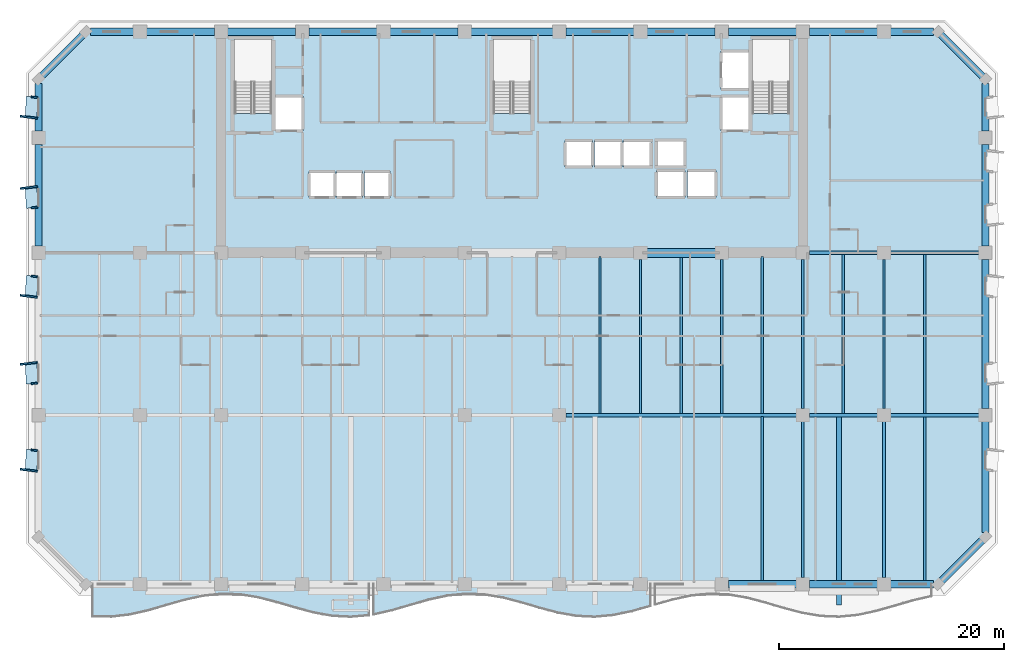
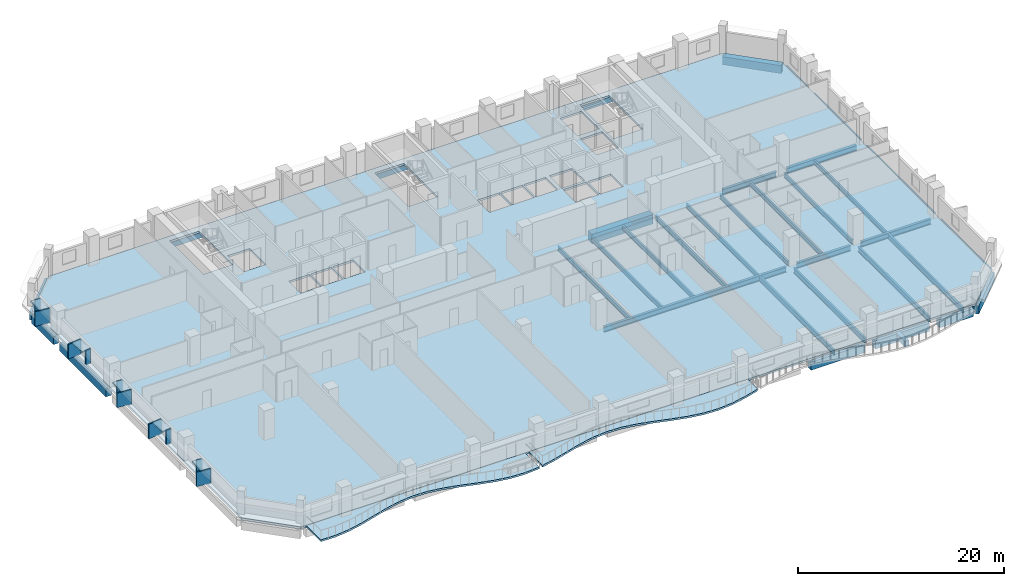
# One storey, part 2 of 15: 43 beams, 15 plates, 3 slabs.
"""IFC4 building model written with IfcOpenShell, lengths in metres."""

from ifc_helpers import new_model, si_unit, direction, frame, origin, origin_2d, place, context, subcontext, project, spatial, polyline, rectangle, i_section, outline, extrude, material, layer, layer_set, material_profile, profile_set, type_object, element, save


model = new_model("IFC4")

# Units and contexts
model_context = context("Model", 3, precision=1e-05, world=origin(), true_north=direction((0.0, 1.0)))
body_context = subcontext(model_context, "Body", "Model", "MODEL_VIEW")
ifc_project = project(units=[si_unit("LENGTHUNIT", "METRE"), si_unit("AREAUNIT", "SQUARE_METRE"), si_unit("VOLUMEUNIT", "CUBIC_METRE"), si_unit("PLANEANGLEUNIT", "RADIAN"), si_unit("MASSUNIT", "GRAM", prefix="KILO")], contexts=[model_context])

# Site, building, storey
site_placement = place(None, origin())
site = spatial("IfcSite", under=ifc_project, at=site_placement, CompositionType="ELEMENT")
building_placement = place(site_placement, origin())
building = spatial("IfcBuilding", under=site, at=building_placement, Name="Kaelvorn Grand Hotel", CompositionType="ELEMENT")
storey_placement = place(building_placement, frame((0.0, 0.0, 96.800048828125)))
storey = spatial("IfcBuildingStorey", under=building, at=storey_placement, Name="L22", CompositionType="ELEMENT", Elevation=96.800048828125)

# Beams
ifc_material_1 = material(Name="Steel S355", Category="steel")
ifc_material_profile_1 = material_profile(ifc_material_1, i_section(OverallWidth=0.300048828125, OverallDepth=0.64990234375, WebThickness=0.01611328125, FlangeThickness=0.031005859375, FilletRadius=0.027099609375, at=origin_2d()), Name="HEB 650")
ifc_profile_set_1 = profile_set([ifc_material_profile_1], Name="Steel S355")
beam_type_1 = type_object("IfcBeamType", Name="BM-G-HEB650-S355", PredefinedType="BEAM", material=ifc_profile_set_1)
beam_1_placement = place(storey_placement, frame((46.784912109375, 15.0, -0.56494140625), z_axis=(1.0, 0.0, 0.0), x_axis=(0.0, 1.0, 0.0)))
element("IfcBeam", 1, at=beam_1_placement, inside=storey, type_object=beam_type_1, Name="L22 Primary Spine Steel Girder G-15 05", PredefinedType="BEAM", context=body_context, shape_type="SweptSolid", body=[
    extrude(i_section(OverallWidth=0.300048828125, OverallDepth=0.64990234375, WebThickness=0.01611328125, FlangeThickness=0.031005859375, FilletRadius=0.027099609375, at=origin_2d()), origin(), (0.0, 0.0, 1.0), 20.43017578125),
])
beam_2_placement = place(storey_placement, frame((68.385009765625, 15.0, -0.56494140625), z_axis=(1.0, 0.0, 0.0), x_axis=(0.0, 1.0, 0.0)))
element("IfcBeam", 2, at=beam_2_placement, inside=storey, type_object=beam_type_1, Name="L22 Primary Spine Steel Girder G-15 06", PredefinedType="BEAM", context=body_context, shape_type="SweptSolid", body=[
    extrude(i_section(OverallWidth=0.300048828125, OverallDepth=0.64990234375, WebThickness=0.01611328125, FlangeThickness=0.031005859375, FilletRadius=0.027099609375, at=origin_2d()), origin(), (0.0, 0.0, 1.0), 6.030029296875),
])
beam_3_placement = place(storey_placement, frame((75.5849609375, 15.0, -0.56494140625), z_axis=(1.0, 0.0, 0.0), x_axis=(0.0, 1.0, 0.0)))
element("IfcBeam", 3, at=beam_3_placement, inside=storey, type_object=beam_type_1, Name="L22 Primary Spine Steel Girder G-15 07", PredefinedType="BEAM", context=body_context, shape_type="SweptSolid", body=[
    extrude(i_section(OverallWidth=0.300048828125, OverallDepth=0.64990234375, WebThickness=0.01611328125, FlangeThickness=0.031005859375, FilletRadius=0.027099609375, at=origin_2d()), origin(), (0.0, 0.0, 1.0), 7.830078125),
])
beam_4_placement = place(storey_placement, frame((68.385009765625, 29.39990234375, -0.56494140625), z_axis=(1.0, 0.0, 0.0), x_axis=(0.0, 1.0, 0.0)))
element("IfcBeam", 4, at=beam_4_placement, inside=storey, type_object=beam_type_1, Name="L22 East Core Wing Steel Girder G-29E 01", PredefinedType="BEAM", context=body_context, shape_type="SweptSolid", body=[
    extrude(i_section(OverallWidth=0.300048828125, OverallDepth=0.64990234375, WebThickness=0.01611328125, FlangeThickness=0.031005859375, FilletRadius=0.027099609375, at=origin_2d()), origin(), (0.0, 0.0, 1.0), 6.030029296875),
])
beam_5_placement = place(storey_placement, frame((75.5849609375, 29.39990234375, -0.56494140625), z_axis=(1.0, 0.0, 0.0), x_axis=(0.0, 1.0, 0.0)))
element("IfcBeam", 5, at=beam_5_placement, inside=storey, type_object=beam_type_1, Name="L22 East Core Wing Steel Girder G-29E 02", PredefinedType="BEAM", context=body_context, shape_type="SweptSolid", body=[
    extrude(i_section(OverallWidth=0.300048828125, OverallDepth=0.64990234375, WebThickness=0.01611328125, FlangeThickness=0.031005859375, FilletRadius=0.027099609375, at=origin_2d()), origin(), (0.0, 0.0, 1.0), 7.830078125),
])
ifc_material_profile_2 = material_profile(ifc_material_1, i_section(OverallWidth=0.209228515625, OverallDepth=0.533203125, WebThickness=0.010009765625, FlangeThickness=0.015625, FilletRadius=0.0126953125, at=origin_2d()), Name="UB 533x210x92")
ifc_profile_set_2 = profile_set([ifc_material_profile_2], Name="Steel S355")
beam_type_2 = type_object("IfcBeamType", Name="BM-J-UB533-S355", PredefinedType="JOIST", material=ifc_profile_set_2)
beam_6_placement = place(storey_placement, frame((49.800048828125, 15.135009765625, -0.506591796875), z_axis=(0.0, 1.0, 0.0), x_axis=(-1.0, 0.0, 0.0)))
element("IfcBeam", 6, at=beam_6_placement, inside=storey, type_object=beam_type_2, Name="L22 Composite Floor Joist JM-14", PredefinedType="JOIST", context=body_context, shape_type="SweptSolid", body=[
    extrude(i_section(OverallWidth=0.209228515625, OverallDepth=0.533203125, WebThickness=0.010009765625, FlangeThickness=0.015625, FilletRadius=0.0126953125, at=origin_2d()), origin(), (0.0, 0.0, 1.0), 13.925048828125),
])
beam_7_placement = place(storey_placement, frame((53.39990234375, 15.135009765625, -0.506591796875), z_axis=(0.0, 1.0, 0.0), x_axis=(-1.0, 0.0, 0.0)))
element("IfcBeam", 7, at=beam_7_placement, inside=storey, type_object=beam_type_2, Name="L22 Composite Floor Joist JM-15", PredefinedType="JOIST", context=body_context, shape_type="SweptSolid", body=[
    extrude(i_section(OverallWidth=0.209228515625, OverallDepth=0.533203125, WebThickness=0.010009765625, FlangeThickness=0.015625, FilletRadius=0.0126953125, at=origin_2d()), origin(), (0.0, 0.0, 1.0), 13.679931640625),
])
beam_8_placement = place(storey_placement, frame((57.0, 15.135009765625, -0.506591796875), z_axis=(0.0, 1.0, 0.0), x_axis=(-1.0, 0.0, 0.0)))
element("IfcBeam", 8, at=beam_8_placement, inside=storey, type_object=beam_type_2, Name="L22 Composite Floor Joist JM-16", PredefinedType="JOIST", context=body_context, shape_type="SweptSolid", body=[
    extrude(i_section(OverallWidth=0.209228515625, OverallDepth=0.533203125, WebThickness=0.010009765625, FlangeThickness=0.015625, FilletRadius=0.0126953125, at=origin_2d()), origin(), (0.0, 0.0, 1.0), 13.925048828125),
])
beam_9_placement = place(storey_placement, frame((60.60009765625, 15.135009765625, -0.506591796875), z_axis=(0.0, 1.0, 0.0), x_axis=(-1.0, 0.0, 0.0)))
element("IfcBeam", 9, at=beam_9_placement, inside=storey, type_object=beam_type_2, Name="L22 Composite Floor Joist JM-17", PredefinedType="JOIST", context=body_context, shape_type="SweptSolid", body=[
    extrude(i_section(OverallWidth=0.209228515625, OverallDepth=0.533203125, WebThickness=0.010009765625, FlangeThickness=0.015625, FilletRadius=0.0126953125, at=origin_2d()), origin(), (0.0, 0.0, 1.0), 13.679931640625),
])
beam_10_placement = place(storey_placement, frame((64.199951171875, 15.135009765625, -0.506591796875), z_axis=(0.0, 1.0, 0.0), x_axis=(-1.0, 0.0, 0.0)))
element("IfcBeam", 10, at=beam_10_placement, inside=storey, type_object=beam_type_2, Name="L22 Composite Floor Joist JM-18", PredefinedType="JOIST", context=body_context, shape_type="SweptSolid", body=[
    extrude(i_section(OverallWidth=0.209228515625, OverallDepth=0.533203125, WebThickness=0.010009765625, FlangeThickness=0.015625, FilletRadius=0.0126953125, at=origin_2d()), origin(), (0.0, 0.0, 1.0), 13.925048828125),
])
beam_11_placement = place(storey_placement, frame((67.800048828125, 15.5849609375, -0.506591796875), z_axis=(0.0, 1.0, 0.0), x_axis=(-1.0, 0.0, 0.0)))
element("IfcBeam", 11, at=beam_11_placement, inside=storey, type_object=beam_type_2, Name="L22 Composite Floor Joist JM-19", PredefinedType="JOIST", context=body_context, shape_type="SweptSolid", body=[
    extrude(i_section(OverallWidth=0.209228515625, OverallDepth=0.533203125, WebThickness=0.010009765625, FlangeThickness=0.015625, FilletRadius=0.0126953125, at=origin_2d()), origin(), (0.0, 0.0, 1.0), 13.22998046875),
])
beam_12_placement = place(storey_placement, frame((71.39990234375, 15.135009765625, -0.506591796875), z_axis=(0.0, 1.0, 0.0), x_axis=(-1.0, 0.0, 0.0)))
element("IfcBeam", 12, at=beam_12_placement, inside=storey, type_object=beam_type_2, Name="L22 Composite Floor Joist JM-20", PredefinedType="JOIST", context=body_context, shape_type="SweptSolid", body=[
    extrude(i_section(OverallWidth=0.209228515625, OverallDepth=0.533203125, WebThickness=0.010009765625, FlangeThickness=0.015625, FilletRadius=0.0126953125, at=origin_2d()), origin(), (0.0, 0.0, 1.0), 14.1298828125),
])
beam_13_placement = place(storey_placement, frame((75.0, 15.5849609375, -0.506591796875), z_axis=(0.0, 1.0, 0.0), x_axis=(-1.0, 0.0, 0.0)))
element("IfcBeam", 13, at=beam_13_placement, inside=storey, type_object=beam_type_2, Name="L22 Composite Floor Joist JM-21", PredefinedType="JOIST", context=body_context, shape_type="SweptSolid", body=[
    extrude(i_section(OverallWidth=0.209228515625, OverallDepth=0.533203125, WebThickness=0.010009765625, FlangeThickness=0.015625, FilletRadius=0.0126953125, at=origin_2d()), origin(), (0.0, 0.0, 1.0), 13.22998046875),
])
beam_14_placement = place(storey_placement, frame((78.60009765625, 15.135009765625, -0.506591796875), z_axis=(0.0, 1.0, 0.0), x_axis=(-1.0, 0.0, 0.0)))
element("IfcBeam", 14, at=beam_14_placement, inside=storey, type_object=beam_type_2, Name="L22 Composite Floor Joist JM-22", PredefinedType="JOIST", context=body_context, shape_type="SweptSolid", body=[
    extrude(i_section(OverallWidth=0.209228515625, OverallDepth=0.533203125, WebThickness=0.010009765625, FlangeThickness=0.015625, FilletRadius=0.0126953125, at=origin_2d()), origin(), (0.0, 0.0, 1.0), 14.1298828125),
])
ifc_material_profile_3 = material_profile(ifc_material_1, i_section(OverallWidth=0.22900390625, OverallDepth=0.6123046875, WebThickness=0.011962890625, FlangeThickness=0.01953125, FilletRadius=0.0126953125, at=origin_2d()), Name="UB 610x229x125")
ifc_profile_set_3 = profile_set([ifc_material_profile_3], Name="Steel S355")
beam_type_3 = type_object("IfcBeamType", Name="BM-J-UB610-S355", PredefinedType="JOIST", material=ifc_profile_set_3)
beam_15_placement = place(storey_placement, frame((64.199951171875, 0.31005859375, -0.546142578125), z_axis=(0.0, 1.0, 0.0), x_axis=(-1.0, 0.0, 0.0)))
element("IfcBeam", 15, at=beam_15_placement, inside=storey, type_object=beam_type_3, Name="L22 Composite Floor Joist JS-18", PredefinedType="JOIST", context=body_context, shape_type="SweptSolid", body=[
    extrude(i_section(OverallWidth=0.22900390625, OverallDepth=0.6123046875, WebThickness=0.011962890625, FlangeThickness=0.01953125, FilletRadius=0.0126953125, at=origin_2d()), origin(), (0.0, 0.0, 1.0), 14.554931640625),
])
for number, where, z_axis, x_axis, name in (
    (16, (67.800048828125, 0.5849609375, -0.546142578125), (0.0, 1.0, 0.0), (-1.0, 0.0, 0.0), "L22 Composite Floor Joist JS-19"),
    (17, (75.0, 0.5849609375, -0.546142578125), (0.0, 1.0, 0.0), (-1.0, 0.0, 0.0), "L22 Composite Floor Joist JS-21"),
):
    element("IfcBeam", number, at=place(storey_placement, frame(where, z_axis=z_axis, x_axis=x_axis)), inside=storey, type_object=beam_type_3, Name=name, PredefinedType="JOIST", context=body_context, shape_type="SweptSolid", body=[
        extrude(i_section(OverallWidth=0.22900390625, OverallDepth=0.6123046875, WebThickness=0.011962890625, FlangeThickness=0.01953125, FilletRadius=0.0126953125, at=origin_2d()), origin(), (0.0, 0.0, 1.0), 13.830078125),
    ])
beam_16_placement = place(storey_placement, frame((78.60009765625, 0.31005859375, -0.546142578125), z_axis=(0.0, 1.0, 0.0), x_axis=(-1.0, 0.0, 0.0)))
element("IfcBeam", 18, at=beam_16_placement, inside=storey, type_object=beam_type_3, Name="L22 Composite Floor Joist JS-22", PredefinedType="JOIST", context=body_context, shape_type="SweptSolid", body=[
    extrude(i_section(OverallWidth=0.22900390625, OverallDepth=0.6123046875, WebThickness=0.011962890625, FlangeThickness=0.01953125, FilletRadius=0.0126953125, at=origin_2d()), origin(), (0.0, 0.0, 1.0), 14.554931640625),
])
ifc_material_2 = material(Name="Concrete C60/75", Category="concrete")
ifc_material_profile_4 = material_profile(ifc_material_2, rectangle(XDim=0.800048828125, YDim=1.10009765625, at=origin_2d()), Name="RC LINTEL 800x1100")
ifc_profile_set_4 = profile_set([ifc_material_profile_4], Name="Concrete C60/75")
beam_type_4 = type_object("IfcBeamType", Name="BM-LIN-800x1100-C60", PredefinedType="LINTEL", material=ifc_profile_set_4)
beam_17_placement = place(storey_placement, frame((53.580078125, 29.39990234375, -0.7900390625), z_axis=(1.0, 0.0, 0.0), x_axis=(0.0, 1.0, 0.0)))
element("IfcBeam", 19, at=beam_17_placement, inside=storey, type_object=beam_type_4, Name="L22 Rear-Core Coupling Lintel Beam CB1-03", PredefinedType="LINTEL", context=body_context, shape_type="SweptSolid", body=[
    extrude(rectangle(XDim=0.800048828125, YDim=1.10009765625, at=origin_2d()), origin(), (0.0, 0.0, 1.0), 6.83984375),
])
ifc_material_3 = material(Name="Concrete C40/50", Category="concrete")
ifc_material_profile_5 = material_profile(ifc_material_3, rectangle(XDim=0.449951171875, YDim=0.64990234375, at=origin_2d()), Name="RC RIB 450x650")
ifc_profile_set_5 = profile_set([ifc_material_profile_5], Name="Concrete C40/50")
beam_type_5 = type_object("IfcBeamType", Name="BM-RIB-450x650-C40", PredefinedType="SPANDREL", material=ifc_profile_set_5)
beam_18_placement = place(storey_placement, frame((71.022216796875, -1.85009765625, -0.545166015625), z_axis=(0.0, 1.0, 0.0), x_axis=(-1.0, 0.0, 0.0)))
element("IfcBeam", 20, at=beam_18_placement, inside=storey, type_object=beam_type_5, Name="L22 Cantilevered Balcony Back-Span Rib RB1-3", PredefinedType="SPANDREL", context=body_context, shape_type="SweptSolid", body=[
    extrude(rectangle(XDim=0.449951171875, YDim=0.64990234375, at=origin_2d()), origin(), (0.0, 0.0, 1.0), 16.715087890625),
])
ifc_material_profile_6 = material_profile(ifc_material_2, rectangle(XDim=0.64990234375, YDim=0.949951171875, at=origin_2d()), Name="RC SPANDREL 650x950")
ifc_profile_set_6 = profile_set([ifc_material_profile_6], Name="Concrete C60/75")
beam_type_6 = type_object("IfcBeamType", Name="BM-SP-650x950-C60", PredefinedType="SPANDREL", material=ifc_profile_set_6)
for number, where, z_axis, x_axis, name in (
    (21, (61.18505859375, 0.0, -0.715087890625), (1.0, 0.0, 0.0), (0.0, 1.0, 0.0), "L22 South Perimeter Spandrel 09"),
    (22, (68.385009765625, 0.0, -0.715087890625), (1.0, 0.0, 0.0), (0.0, 1.0, 0.0), "L22 South Perimeter Spandrel 10"),
):
    element("IfcBeam", number, at=place(storey_placement, frame(where, z_axis=z_axis, x_axis=x_axis)), inside=storey, type_object=beam_type_6, Name=name, PredefinedType="SPANDREL", context=body_context, shape_type="SweptSolid", body=[
        extrude(rectangle(XDim=0.64990234375, YDim=0.949951171875, at=origin_2d()), origin(), (0.0, 0.0, 1.0), 6.030029296875),
    ])
for number, where, z_axis, x_axis, name in (
    (23, (75.5849609375, 0.0, -0.715087890625), (1.0, 0.0, 0.0), (0.0, 1.0, 0.0), "L22 South Perimeter Spandrel 11"),
    (24, (4.60498046875, 49.0, -0.715087890625), (1.0, 0.0, 0.0), (0.0, 1.0, 0.0), "L22 North Perimeter Spandrel 01"),
):
    element("IfcBeam", number, at=place(storey_placement, frame(where, z_axis=z_axis, x_axis=x_axis)), inside=storey, type_object=beam_type_6, Name=name, PredefinedType="SPANDREL", context=body_context, shape_type="SweptSolid", body=[
        extrude(rectangle(XDim=0.64990234375, YDim=0.949951171875, at=origin_2d()), origin(), (0.0, 0.0, 1.0), 3.81005859375),
    ])
for number, where, z_axis, x_axis, name in (
    (25, (9.5849609375, 49.0, -0.715087890625), (1.0, 0.0, 0.0), (0.0, 1.0, 0.0), "L22 North Perimeter Spandrel 02"),
    (26, (16.784912109375, 49.0, -0.715087890625), (1.0, 0.0, 0.0), (0.0, 1.0, 0.0), "L22 North Perimeter Spandrel 03"),
):
    element("IfcBeam", number, at=place(storey_placement, frame(where, z_axis=z_axis, x_axis=x_axis)), inside=storey, type_object=beam_type_6, Name=name, PredefinedType="SPANDREL", context=body_context, shape_type="SweptSolid", body=[
        extrude(rectangle(XDim=0.64990234375, YDim=0.949951171875, at=origin_2d()), origin(), (0.0, 0.0, 1.0), 6.030029296875),
    ])
beam_19_placement = place(storey_placement, frame((23.985107421875, 49.0, -0.715087890625), z_axis=(1.0, 0.0, 0.0), x_axis=(0.0, 1.0, 0.0)))
element("IfcBeam", 27, at=beam_19_placement, inside=storey, type_object=beam_type_6, Name="L22 North Perimeter Spandrel 04", PredefinedType="SPANDREL", context=body_context, shape_type="SweptSolid", body=[
    extrude(rectangle(XDim=0.64990234375, YDim=0.949951171875, at=origin_2d()), origin(), (0.0, 0.0, 1.0), 6.02978515625),
])
beam_20_placement = place(storey_placement, frame((31.18505859375, 49.0, -0.715087890625), z_axis=(1.0, 0.0, 0.0), x_axis=(0.0, 1.0, 0.0)))
element("IfcBeam", 28, at=beam_20_placement, inside=storey, type_object=beam_type_6, Name="L22 North Perimeter Spandrel 05", PredefinedType="SPANDREL", context=body_context, shape_type="SweptSolid", body=[
    extrude(rectangle(XDim=0.64990234375, YDim=0.949951171875, at=origin_2d()), origin(), (0.0, 0.0, 1.0), 6.030029296875),
])
beam_21_placement = place(storey_placement, frame((38.385009765625, 49.0, -0.715087890625), z_axis=(1.0, 0.0, 0.0), x_axis=(0.0, 1.0, 0.0)))
element("IfcBeam", 29, at=beam_21_placement, inside=storey, type_object=beam_type_6, Name="L22 North Perimeter Spandrel 06", PredefinedType="SPANDREL", context=body_context, shape_type="SweptSolid", body=[
    extrude(rectangle(XDim=0.64990234375, YDim=0.949951171875, at=origin_2d()), origin(), (0.0, 0.0, 1.0), 7.22998046875),
])
beam_22_placement = place(storey_placement, frame((46.784912109375, 49.0, -0.715087890625), z_axis=(1.0, 0.0, 0.0), x_axis=(0.0, 1.0, 0.0)))
element("IfcBeam", 30, at=beam_22_placement, inside=storey, type_object=beam_type_6, Name="L22 North Perimeter Spandrel 07", PredefinedType="SPANDREL", context=body_context, shape_type="SweptSolid", body=[
    extrude(rectangle(XDim=0.64990234375, YDim=0.949951171875, at=origin_2d()), origin(), (0.0, 0.0, 1.0), 6.030029296875),
])
beam_23_placement = place(storey_placement, frame((53.985107421875, 49.0, -0.715087890625), z_axis=(1.0, 0.0, 0.0), x_axis=(0.0, 1.0, 0.0)))
element("IfcBeam", 31, at=beam_23_placement, inside=storey, type_object=beam_type_6, Name="L22 North Perimeter Spandrel 08", PredefinedType="SPANDREL", context=body_context, shape_type="SweptSolid", body=[
    extrude(rectangle(XDim=0.64990234375, YDim=0.949951171875, at=origin_2d()), origin(), (0.0, 0.0, 1.0), 6.02978515625),
])
for number, where, z_axis, x_axis, name in (
    (32, (61.18505859375, 49.0, -0.715087890625), (1.0, 0.0, 0.0), (0.0, 1.0, 0.0), "L22 North Perimeter Spandrel 09"),
    (33, (68.385009765625, 49.0, -0.715087890625), (1.0, 0.0, 0.0), (0.0, 1.0, 0.0), "L22 North Perimeter Spandrel 10"),
):
    element("IfcBeam", number, at=place(storey_placement, frame(where, z_axis=z_axis, x_axis=x_axis)), inside=storey, type_object=beam_type_6, Name=name, PredefinedType="SPANDREL", context=body_context, shape_type="SweptSolid", body=[
        extrude(rectangle(XDim=0.64990234375, YDim=0.949951171875, at=origin_2d()), origin(), (0.0, 0.0, 1.0), 6.030029296875),
    ])
beam_24_placement = place(storey_placement, frame((75.5849609375, 49.0, -0.715087890625), z_axis=(1.0, 0.0, 0.0), x_axis=(0.0, 1.0, 0.0)))
element("IfcBeam", 34, at=beam_24_placement, inside=storey, type_object=beam_type_6, Name="L22 North Perimeter Spandrel 11", PredefinedType="SPANDREL", context=body_context, shape_type="SweptSolid", body=[
    extrude(rectangle(XDim=0.64990234375, YDim=0.949951171875, at=origin_2d()), origin(), (0.0, 0.0, 1.0), 3.81005859375),
])
beam_25_placement = place(storey_placement, frame((0.0, 29.985107421875, -0.715087890625), z_axis=(0.0, 1.0, 0.0), x_axis=(-1.0, 0.0, 0.0)))
element("IfcBeam", 35, at=beam_25_placement, inside=storey, type_object=beam_type_6, Name="L22 West Perimeter Spandrel 03", PredefinedType="SPANDREL", context=body_context, shape_type="SweptSolid", body=[
    extrude(rectangle(XDim=0.64990234375, YDim=0.949951171875, at=origin_2d()), origin(), (0.0, 0.0, 1.0), 9.02978515625),
])
beam_26_placement = place(storey_placement, frame((0.0, 40.18505859375, -0.715087890625), z_axis=(0.0, 1.0, 0.0), x_axis=(-1.0, 0.0, 0.0)))
element("IfcBeam", 36, at=beam_26_placement, inside=storey, type_object=beam_type_6, Name="L22 West Perimeter Spandrel 04", PredefinedType="SPANDREL", context=body_context, shape_type="SweptSolid", body=[
    extrude(rectangle(XDim=0.64990234375, YDim=0.949951171875, at=origin_2d()), origin(), (0.0, 0.0, 1.0), 4.2099609375),
])
beam_27_placement = place(storey_placement, frame((84.0, 4.60498046875, -0.715087890625), z_axis=(0.0, 1.0, 0.0), x_axis=(-1.0, 0.0, 0.0)))
element("IfcBeam", 37, at=beam_27_placement, inside=storey, type_object=beam_type_6, Name="L22 East Perimeter Spandrel 01", PredefinedType="SPANDREL", context=body_context, shape_type="SweptSolid", body=[
    extrude(rectangle(XDim=0.64990234375, YDim=0.949951171875, at=origin_2d()), origin(), (0.0, 0.0, 1.0), 9.81005859375),
])
beam_28_placement = place(storey_placement, frame((84.0, 15.5849609375, -0.715087890625), z_axis=(0.0, 1.0, 0.0), x_axis=(-1.0, 0.0, 0.0)))
element("IfcBeam", 38, at=beam_28_placement, inside=storey, type_object=beam_type_6, Name="L22 East Perimeter Spandrel 02", PredefinedType="SPANDREL", context=body_context, shape_type="SweptSolid", body=[
    extrude(rectangle(XDim=0.64990234375, YDim=0.949951171875, at=origin_2d()), origin(), (0.0, 0.0, 1.0), 13.22998046875),
])
beam_29_placement = place(storey_placement, frame((84.0, 29.985107421875, -0.715087890625), z_axis=(0.0, 1.0, 0.0), x_axis=(-1.0, 0.0, 0.0)))
element("IfcBeam", 39, at=beam_29_placement, inside=storey, type_object=beam_type_6, Name="L22 East Perimeter Spandrel 03", PredefinedType="SPANDREL", context=body_context, shape_type="SweptSolid", body=[
    extrude(rectangle(XDim=0.64990234375, YDim=0.949951171875, at=origin_2d()), origin(), (0.0, 0.0, 1.0), 9.02978515625),
])
beam_30_placement = place(storey_placement, frame((84.0, 40.18505859375, -0.715087890625), z_axis=(0.0, 1.0, 0.0), x_axis=(-1.0, 0.0, 0.0)))
element("IfcBeam", 40, at=beam_30_placement, inside=storey, type_object=beam_type_6, Name="L22 East Perimeter Spandrel 04", PredefinedType="SPANDREL", context=body_context, shape_type="SweptSolid", body=[
    extrude(rectangle(XDim=0.64990234375, YDim=0.949951171875, at=origin_2d()), origin(), (0.0, 0.0, 1.0), 4.2099609375),
])
for number, where, z_axis, x_axis, name in (
    (41, (79.800048828125, 0.0, -0.715087890625), (0.707106781187, 0.707106781187, 0.0), (-0.707106781187, 0.707106781187, 0.0), "L22 Chamfer Spandrel Beam 1"),
    (42, (84.0, 44.800048828125, -0.715087890625), (-0.707106781187, 0.707106781187, 0.0), (-0.707106781187, -0.707106781187, 0.0), "L22 Chamfer Spandrel Beam 2"),
    (43, (4.199951171875, 49.0, -0.715087890625), (-0.707106781187, -0.707106781187, 0.0), (0.707106781187, -0.707106781187, 0.0), "L22 Chamfer Spandrel Beam 3"),
):
    element("IfcBeam", number, at=place(storey_placement, frame(where, z_axis=z_axis, x_axis=x_axis)), inside=storey, type_object=beam_type_6, Name=name, PredefinedType="SPANDREL", context=body_context, shape_type="SweptSolid", body=[
        extrude(rectangle(XDim=0.64990234375, YDim=0.949951171875, at=origin_2d()), origin(), (0.0, 0.0, 1.0), 5.939697265625),
    ])

# Plates
ifc_material_4 = material(Name="Precast concrete C45/55", Category="concrete")
ifc_layer_1 = layer(ifc_material_4, 0.159912109375)
ifc_layer_set_1 = layer_set([ifc_layer_1], Name="Precast concrete C45/55")
plate_type_1 = type_object("IfcPlateType", Name="PL-FRAME-DEEP-1550", PredefinedType="USERDEFINED", material=ifc_layer_set_1)
for number, where, z_axis, x_axis, name in (
    (44, (-0.864990234375, 10.110107421875, 0.68994140625), (0.0, 0.0, 1.0), (0.121869343405, 0.992546151641, 0.0), "L22 Tilted Precast Window Frame Fin L-W01"),
    (45, (-0.864990234375, 19.590087890625, 0.68994140625), (0.0, 0.0, 1.0), (-0.121869343405, 0.992546151641, 0.0), "L22 Tilted Precast Window Frame Fin R-W02"),
    (46, (-0.864990234375, 25.534912109375, 0.68994140625), (0.0, 0.0, 1.0), (0.121869343405, 0.992546151641, 0.0), "L22 Tilted Precast Window Frame Fin L-W03"),
    (47, (-0.864990234375, 35.18994140625, 0.68994140625), (0.0, 0.0, 1.0), (-0.121869343405, 0.992546151641, 0.0), "L22 Tilted Precast Window Frame Fin R-W04"),
    (48, (-0.864990234375, 41.425048828125, 0.68994140625), (0.0, 0.0, 1.0), (0.121869343405, 0.992546151641, 0.0), "L22 Tilted Precast Window Frame Fin L-W05"),
):
    element("IfcPlate", number, at=place(storey_placement, frame(where, z_axis=z_axis, x_axis=x_axis)), inside=storey, type_object=plate_type_1, Name=name, ObjectType="FLANGE_PLATE", PredefinedType="USERDEFINED", context=body_context, shape_type="SweptSolid", body=[
        extrude(rectangle(XDim=0.159912109375, YDim=1.550048828125, at=origin_2d()), origin(), (0.0, 0.0, 1.0), 1.719970703125),
    ])
ifc_layer_2 = layer(ifc_material_4, 0.159912109375)
ifc_layer_set_2 = layer_set([ifc_layer_2], Name="Precast concrete C45/55")
plate_type_2 = type_object("IfcPlateType", Name="PL-FRAME-HEAD-1050", PredefinedType="USERDEFINED", material=ifc_layer_set_2)
for number, where, z_axis, x_axis, name in (
    (49, (-0.614990234375, 11.0, 2.25), (0.0, 0.0, 1.0), (0.054950179912, 0.998489097451, 0.0), "L22 Precast Window Frame Head Hood H-W01"),
    (50, (-0.614990234375, 18.699951171875, 2.25), (0.0, 0.0, 1.0), (-0.054950179912, 0.998489097451, 0.0), "L22 Precast Window Frame Head Hood H-W02"),
    (51, (-0.614990234375, 26.425048828125, 2.25), (0.0, 0.0, 1.0), (0.054950179912, 0.998489097451, 0.0), "L22 Precast Window Frame Head Hood H-W03"),
    (52, (-0.614990234375, 34.300048828125, 2.25), (0.0, 0.0, 1.0), (-0.054950179912, 0.998489097451, 0.0), "L22 Precast Window Frame Head Hood H-W04"),
    (53, (-0.614990234375, 42.31494140625, 2.25), (0.0, 0.0, 1.0), (0.054950179912, 0.998489097451, 0.0), "L22 Precast Window Frame Head Hood H-W05"),
):
    element("IfcPlate", number, at=place(storey_placement, frame(where, z_axis=z_axis, x_axis=x_axis)), inside=storey, type_object=plate_type_2, Name=name, ObjectType="FLANGE_PLATE", PredefinedType="USERDEFINED", context=body_context, shape_type="SweptSolid", body=[
        extrude(rectangle(XDim=1.860107421875, YDim=1.050048828125, at=origin_2d()), origin(), (0.0, 0.0, 1.0), 0.159912109375),
    ])
ifc_layer_3 = layer(ifc_material_4, 0.159912109375)
ifc_layer_set_3 = layer_set([ifc_layer_3], Name="Precast concrete C45/55")
plate_type_3 = type_object("IfcPlateType", Name="PL-FRAME-SHAL-550", PredefinedType="USERDEFINED", material=ifc_layer_set_3)
for number, where, z_axis, x_axis, name in (
    (54, (-0.364990234375, 11.889892578125, 0.68994140625), (0.0, 0.0, 1.0), (0.121869343405, 0.992546151641, 0.0), "L22 Tilted Precast Window Frame Fin R-W01"),
    (55, (-0.364990234375, 17.81005859375, 0.68994140625), (0.0, 0.0, 1.0), (-0.121869343405, 0.992546151641, 0.0), "L22 Tilted Precast Window Frame Fin L-W02"),
    (56, (-0.364990234375, 27.31494140625, 0.68994140625), (0.0, 0.0, 1.0), (0.121869343405, 0.992546151641, 0.0), "L22 Tilted Precast Window Frame Fin R-W03"),
    (57, (-0.364990234375, 33.409912109375, 0.68994140625), (0.0, 0.0, 1.0), (-0.121869343405, 0.992546151641, 0.0), "L22 Tilted Precast Window Frame Fin L-W04"),
    (58, (-0.364990234375, 43.205078125, 0.68994140625), (0.0, 0.0, 1.0), (0.121869343405, 0.992546151641, 0.0), "L22 Tilted Precast Window Frame Fin R-W05"),
):
    element("IfcPlate", number, at=place(storey_placement, frame(where, z_axis=z_axis, x_axis=x_axis)), inside=storey, type_object=plate_type_3, Name=name, ObjectType="FLANGE_PLATE", PredefinedType="USERDEFINED", context=body_context, shape_type="SweptSolid", body=[
        extrude(rectangle(XDim=0.159912109375, YDim=0.550048828125, at=origin_2d()), origin(), (0.0, 0.0, 1.0), 1.719970703125),
    ])

# Slabs
ifc_layer_4 = layer(ifc_material_3, 0.219970703125)
ifc_layer_set_4 = layer_set([ifc_layer_4], Name="Concrete C40/50")
slab_type_1 = type_object("IfcSlabType", Name="SLB-BALC-220-C40", PredefinedType="FLOOR", material=ifc_layer_set_4)
slab_1_placement = place(storey_placement, frame((0.0, 0.0, -0.219970703125)))
element("IfcSlab", 59, at=slab_1_placement, inside=storey, type_object=slab_type_1, Name="L22 Scalloped Wave Balcony Slab 1", PredefinedType="FLOOR", context=body_context, shape_type="SweptSolid", body=[
    extrude(outline(polyline([(4.800048828125, -2.849853515625), (6.435546875, -2.88671875), (8.071044921875, -2.69873046875), (9.706787109375, -2.327880859375), (11.34228515625, -1.8564453125), (12.977783203125, -1.38916015625), (14.61328125, -1.02978515625), (16.248779296875, -0.858154296875), (17.884521484375, -0.912353515625), (19.52001953125, -1.180419921875), (21.155517578125, -1.602783203125), (22.791015625, -2.08544921875), (24.4267578125, -2.521484375), (26.062255859375, -2.81396484375), (27.69775390625, -2.89794921875), (29.333251953125, -2.754638671875), (29.333251953125, 0.0), (4.800048828125, 0.0), (4.800048828125, -2.849853515625)])), origin(), (0.0, 0.0, 1.0), 0.219970703125),
])
slab_2_placement = place(storey_placement, frame((0.0, 0.0, -0.219970703125)))
element("IfcSlab", 60, at=slab_2_placement, inside=storey, type_object=slab_type_1, Name="L22 Scalloped Wave Balcony Slab 2", PredefinedType="FLOOR", context=body_context, shape_type="SweptSolid", body=[
    extrude(outline(polyline([(29.7333984375, -2.6875), (31.368896484375, -2.311279296875), (33.00439453125, -1.837890625), (34.639892578125, -1.372802734375), (36.275634765625, -1.019287109375), (37.9111328125, -0.85595703125), (39.546630859375, -0.918701171875), (41.18212890625, -1.194091796875), (42.81787109375, -1.62060546875), (44.453369140625, -2.103759765625), (46.0888671875, -2.535888671875), (47.724365234375, -2.8212890625), (49.360107421875, -2.896484375), (50.99560546875, -2.744873046875), (52.631103515625, -2.400146484375), (54.2666015625, -1.9384765625), (54.2666015625, 0.0), (29.7333984375, 0.0), (29.7333984375, -2.6875)])), origin(), (0.0, 0.0, 1.0), 0.219970703125),
])
ifc_layer_5 = layer(ifc_material_3, 0.239990234375)
ifc_layer_set_5 = layer_set([ifc_layer_5], Name="Concrete C40/50")
slab_type_2 = type_object("IfcSlabType", Name="SLB-FLR-240-C40", PredefinedType="FLOOR", material=ifc_layer_set_5)
slab_3_placement = place(storey_placement, frame((0.0, 0.0, -0.239990234375)))
element("IfcSlab", 61, at=slab_3_placement, inside=storey, type_object=slab_type_2, Name="L22 Indoor Suspended Floor Slab", PredefinedType="FLOOR", context=body_context, shape_type="SweptSolid", body=[
    extrude(outline(polyline([(4.199951171875, 0.0), (79.800048828125, 0.0), (84.0, 4.199951171875), (84.0, 44.800048828125), (79.800048828125, 49.0), (4.199951171875, 49.0), (0.0, 44.800048828125), (0.0, 4.199951171875), (4.199951171875, 0.0)]), holes=[polyline([(17.39990234375, 41.760009765625), (17.39990234375, 48.300048828125), (20.679931640625, 48.300048828125), (20.679931640625, 41.760009765625), (17.39990234375, 41.760009765625)]), polyline([(40.360107421875, 41.760009765625), (40.360107421875, 48.300048828125), (43.639892578125, 48.300048828125), (43.639892578125, 41.760009765625), (40.360107421875, 41.760009765625)]), polyline([(63.320068359375, 41.760009765625), (63.320068359375, 48.300048828125), (66.60009765625, 48.300048828125), (66.60009765625, 41.760009765625), (63.320068359375, 41.760009765625)]), polyline([(24.0, 34.300048828125), (24.0, 36.60009765625), (26.300048828125, 36.60009765625), (26.300048828125, 34.300048828125), (24.0, 34.300048828125)]), polyline([(26.449951171875, 34.300048828125), (26.449951171875, 36.60009765625), (28.75, 36.60009765625), (28.75, 34.300048828125), (26.449951171875, 34.300048828125)]), polyline([(28.89990234375, 34.300048828125), (28.89990234375, 36.60009765625), (31.199951171875, 36.60009765625), (31.199951171875, 34.300048828125), (28.89990234375, 34.300048828125)]), polyline([(46.699951171875, 37.0), (46.699951171875, 39.35009765625), (49.14990234375, 39.35009765625), (49.14990234375, 37.0), (46.699951171875, 37.0)]), polyline([(49.300048828125, 37.0), (49.300048828125, 39.35009765625), (51.75, 39.35009765625), (51.75, 37.0), (49.300048828125, 37.0)]), polyline([(51.89990234375, 37.0), (51.89990234375, 39.35009765625), (54.35009765625, 39.35009765625), (54.35009765625, 37.0), (51.89990234375, 37.0)]), polyline([(54.800048828125, 34.300048828125), (54.800048828125, 36.699951171875), (57.35009765625, 36.699951171875), (57.35009765625, 34.300048828125), (54.800048828125, 34.300048828125)]), polyline([(57.550048828125, 34.300048828125), (57.550048828125, 36.699951171875), (60.10009765625, 36.699951171875), (60.10009765625, 34.300048828125), (57.550048828125, 34.300048828125)]), polyline([(54.800048828125, 37.0), (54.800048828125, 39.39990234375), (57.35009765625, 39.39990234375), (57.35009765625, 37.0), (54.800048828125, 37.0)]), polyline([(21.0, 40.199951171875), (21.0, 43.300048828125), (23.449951171875, 43.300048828125), (23.449951171875, 40.199951171875), (21.0, 40.199951171875)]), polyline([(60.550048828125, 40.199951171875), (60.550048828125, 43.300048828125), (63.0, 43.300048828125), (63.0, 40.199951171875), (60.550048828125, 40.199951171875)]), polyline([(60.550048828125, 43.89990234375), (60.550048828125, 47.300048828125), (63.0, 47.300048828125), (63.0, 43.89990234375), (60.550048828125, 43.89990234375)])]), origin(), (0.0, 0.0, 1.0), 0.239990234375),
])

save(model, "model.ifc")
